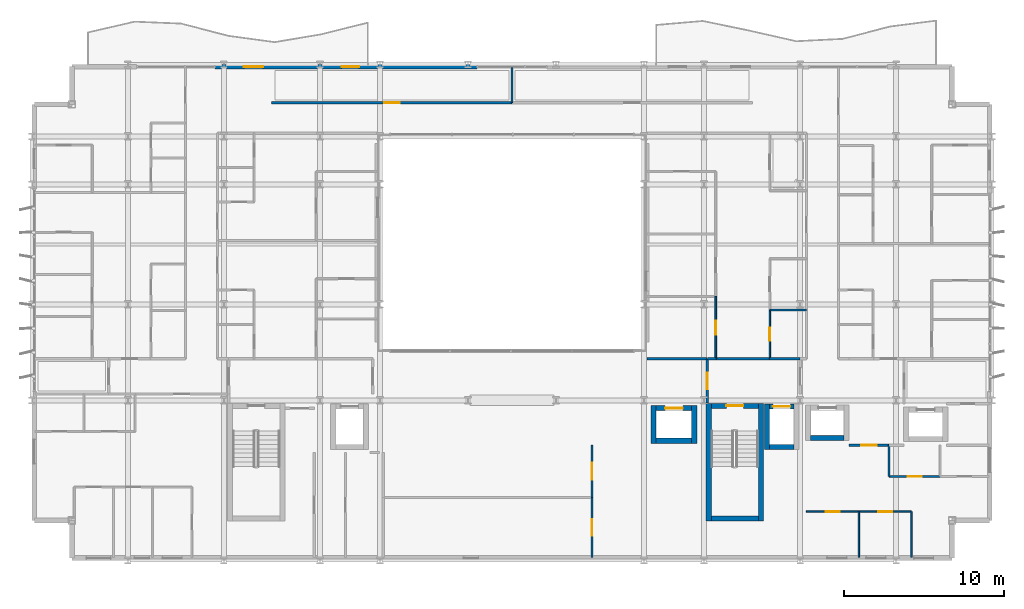
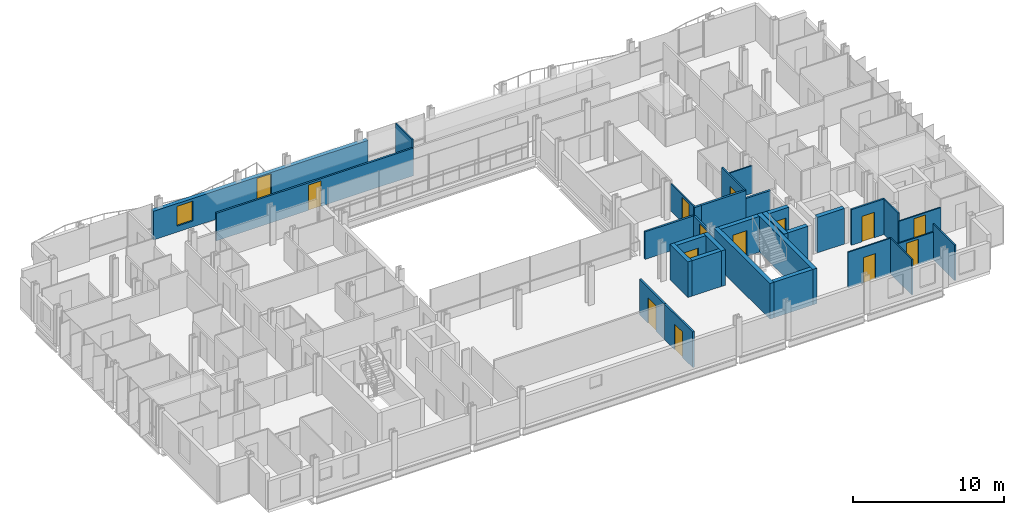
# One storey, part 30 of 38: 32 walls, 14 doors, 1 window, 15 openings.
"""IFC4 building model written with IfcOpenShell, lengths in metres."""

from ifc_helpers import new_model, si_unit, direction, frame, frame_2d, origin, place, context, subcontext, project, spatial, rectangle, extrude, material, layer, layer_set, type_object, element, fill, save


model = new_model("IFC4")

# Units and contexts
model_context = context("Model", 3, precision=1e-05, world=origin(), true_north=direction((0.0, 1.0)))
body_context = subcontext(model_context, "Body", "Model", "MODEL_VIEW")
ifc_project = project(units=[si_unit("LENGTHUNIT", "METRE"), si_unit("AREAUNIT", "SQUARE_METRE"), si_unit("VOLUMEUNIT", "CUBIC_METRE"), si_unit("PLANEANGLEUNIT", "RADIAN"), si_unit("MASSUNIT", "GRAM", prefix="KILO")], contexts=[model_context])

# Site, building, storey
site_placement = place(None, origin())
site = spatial("IfcSite", under=ifc_project, at=site_placement, CompositionType="ELEMENT")
building_placement = place(site_placement, origin())
building = spatial("IfcBuilding", under=site, at=building_placement, Name="Brevholm Reach", CompositionType="ELEMENT")
storey_placement = place(building_placement, frame((0.0, 0.0, 46.60009765625)))
storey = spatial("IfcBuildingStorey", under=building, at=storey_placement, Name="L12", CompositionType="ELEMENT", Elevation=46.60009765625)

# Walls
ifc_material_1 = material(Name="Concrete C60/75", Category="concrete")
ifc_layer_1 = layer(ifc_material_1, 0.320068359375)
ifc_layer_set_1 = layer_set([ifc_layer_1], Name="Concrete C60/75")
wall_type_1 = type_object("IfcWallType", Name="WAL-COR-320", PredefinedType="SHEAR", material=ifc_layer_set_1)
for number, where, z_axis, x_axis, name in (
    (1, (42.2900390625, 2.4599609375, 0.0), (0.0, 0.0, 1.0), (0.0, 1.0, 0.0), "L12 Escape Stair ST-2 Core Wall W"),
    (2, (45.56005859375, 2.4599609375, 0.0), (0.0, 0.0, 1.0), (0.0, 1.0, 0.0), "L12 Escape Stair ST-2 Core Wall E"),
):
    element("IfcWall", number, at=place(storey_placement, frame(where, z_axis=z_axis, x_axis=x_axis)), inside=storey, type_object=wall_type_1, Name=name, PredefinedType="SHEAR", context=body_context, shape_type="SweptSolid", body=[
        extrude(rectangle(XDim=7.360107421875, YDim=0.320068359375, at=frame_2d((3.68017578125, 0.0))), origin(), (0.0, 0.0, 1.0), 2.869873046875),
    ])
wall_1_placement = place(storey_placement, frame((42.449951171875, 2.6201171875, 0.0), z_axis=(0.0, 0.0, 1.0), x_axis=(1.0, 0.0, 0.0)))
element("IfcWall", 3, at=wall_1_placement, inside=storey, type_object=wall_type_1, Name="L12 Escape Stair ST-2 Core Wall S", PredefinedType="SHEAR", context=body_context, shape_type="SweptSolid", body=[
    extrude(rectangle(XDim=2.949951171875, YDim=0.320068359375, at=frame_2d((1.47509765625, 0.0))), origin(), (0.0, 0.0, 1.0), 2.869873046875),
])

# Wall, opening, door
wall_2_placement = place(storey_placement, frame((45.39990234375, 9.659912109375, 0.0), z_axis=(0.0, 0.0, 1.0), x_axis=(-1.0, 0.0, 0.0)))
wall_2 = element("IfcWall", 4, at=wall_2_placement, inside=storey, type_object=wall_type_1, Name="L12 Escape Stair ST-2 Core Wall N", PredefinedType="SHEAR", context=body_context, shape_type="SweptSolid", body=[
    extrude(rectangle(XDim=2.949951171875, YDim=0.320068359375, at=frame_2d((1.47509765625, 0.0))), origin(), (0.0, 0.0, 1.0), 2.869873046875),
])
opening_1_placement = place(wall_2_placement, frame((0.949951171875, 0.0, 0.0)))
opening_1 = element("IfcOpeningElement", 5, at=opening_1_placement, cuts=wall_2, Name="Opening SD-ST-2", PredefinedType="OPENING", context=body_context, shape_type="SweptSolid", body=[
    extrude(rectangle(XDim=1.050048828125, YDim=2.06005859375, at=frame_2d((0.52490234375, 1.030029296875))), frame((0.0, 0.169921875, 0.0), z_axis=(0.0, -1.0, 0.0), x_axis=(1.0, 0.0, 0.0)), (0.0, 0.0, 1.0), 0.340087890625),
])
ifc_material_2 = material(Name="Hardwood-Lipped Steel-Core Fire and Smoke Door", Category="steel")
door_type_1 = type_object("IfcDoorType", Name="DOR-INT-FD60S", OperationType="NOTDEFINED", PredefinedType="DOOR", material=ifc_material_2)
door_1_placement = place(opening_1_placement, origin())
door_1 = element("IfcDoor", 6, at=door_1_placement, inside=storey, type_object=door_type_1, Name="L12 Protected Stair ST-2 Lobby Door", OperationType="SINGLE_SWING_LEFT", OverallHeight=2.06005859375, OverallWidth=1.050048828125, PredefinedType="DOOR", context=body_context, shape_type="SweptSolid", body=[
    extrude(rectangle(XDim=1.050048828125, YDim=2.06005859375, at=frame_2d((0.52490234375, 1.030029296875))), frame((0.0, 0.02490234375, 0.0), z_axis=(0.0, -1.0, 0.0), x_axis=(1.0, 0.0, 0.0)), (0.0, 0.0, 1.0), 0.050048828125),
])
fill(opening_1, door_1)

# Walls
wall_3_placement = place(storey_placement, frame((45.929931640625, 6.919921875, 0.0), z_axis=(0.0, 0.0, 1.0), x_axis=(0.0, 1.0, 0.0)))
element("IfcWall", 7, at=wall_3_placement, inside=storey, type_object=wall_type_1, Name="L12 Lift FFL-2 Shaft Wall W", PredefinedType="SHEAR", context=body_context, shape_type="SweptSolid", body=[
    extrude(rectangle(XDim=2.860107421875, YDim=0.320068359375, at=frame_2d((1.43017578125, 0.0))), origin(), (0.0, 0.0, 1.0), 2.869873046875),
])
wall_4_placement = place(storey_placement, frame((46.090087890625, 7.080078125, 0.0), z_axis=(0.0, 0.0, 1.0), x_axis=(1.0, 0.0, 0.0)))
element("IfcWall", 8, at=wall_4_placement, inside=storey, type_object=wall_type_1, Name="L12 Lift FFL-2 Shaft Wall S", PredefinedType="SHEAR", context=body_context, shape_type="SweptSolid", body=[
    extrude(rectangle(XDim=1.52001953125, YDim=0.320068359375, at=frame_2d((0.760009765625, 0.0))), origin(), (0.0, 0.0, 1.0), 2.869873046875),
])

# Wall, opening, door
wall_5_placement = place(storey_placement, frame((46.090087890625, 9.6201171875, 0.0), z_axis=(0.0, 0.0, 1.0), x_axis=(1.0, 0.0, 0.0)))
wall_5 = element("IfcWall", 9, at=wall_5_placement, inside=storey, type_object=wall_type_1, Name="L12 Lift FFL-2 Shaft Wall N", PredefinedType="SHEAR", context=body_context, shape_type="SweptSolid", body=[
    extrude(rectangle(XDim=1.52001953125, YDim=0.320068359375, at=frame_2d((0.760009765625, 0.0))), origin(), (0.0, 0.0, 1.0), 2.869873046875),
])
opening_2_placement = place(wall_5_placement, frame((0.2099609375, 0.0, 0.0)))
opening_2 = element("IfcOpeningElement", 10, at=opening_2_placement, cuts=wall_5, Name="Opening LD-FFL-2", PredefinedType="OPENING", context=body_context, shape_type="SweptSolid", body=[
    extrude(rectangle(XDim=1.10009765625, YDim=2.06005859375, at=frame_2d((0.550048828125, 1.030029296875))), frame((0.0, 0.169921875, 0.0), z_axis=(0.0, -1.0, 0.0), x_axis=(1.0, 0.0, 0.0)), (0.0, 0.0, 1.0), 0.340087890625),
])
ifc_material_3 = material(Name="Brushed Stainless Steel Fire-Rated Sliding Lift Door", Category="steel")
door_type_2 = type_object("IfcDoorType", Name="DOR-LFT-1100", OperationType="NOTDEFINED", PredefinedType="DOOR", material=ifc_material_3)
door_2_placement = place(opening_2_placement, origin())
door_2 = element("IfcDoor", 11, at=door_2_placement, inside=storey, type_object=door_type_2, Name="L12 Lift FFL-2 Sliding Landing Door", OperationType="SLIDING_TO_LEFT", OverallHeight=2.06005859375, OverallWidth=1.10009765625, PredefinedType="DOOR", context=body_context, shape_type="SweptSolid", body=[
    extrude(rectangle(XDim=1.10009765625, YDim=2.06005859375, at=frame_2d((0.550048828125, 1.030029296875))), frame((0.0, 0.02490234375, 0.0), z_axis=(0.0, -1.0, 0.0), x_axis=(1.0, 0.0, 0.0)), (0.0, 0.0, 1.0), 0.050048828125),
])
fill(opening_2, door_2)

# Walls
wall_6_placement = place(storey_placement, frame((48.6650390625, 7.655029296875, 0.0), z_axis=(0.0, 0.0, 1.0), x_axis=(1.0, 0.0, 0.0)))
element("IfcWall", 12, at=wall_6_placement, inside=storey, type_object=wall_type_1, Name="L12 Lift PL-L1 Shaft Wall S", PredefinedType="SHEAR", context=body_context, shape_type="SweptSolid", body=[
    extrude(rectangle(XDim=2.070068359375, YDim=0.320068359375, at=frame_2d((1.03515625, 0.0))), origin(), (0.0, 0.0, 1.0), 2.869873046875),
])
for number, where, z_axis, x_axis, name in (
    (13, (38.85009765625, 7.320068359375, 0.0), (0.0, 0.0, 1.0), (0.0, 1.0, 0.0), "L12 Lift PL-S1 Shaft Wall W"),
    (14, (41.389892578125, 7.320068359375, 0.0), (0.0, 0.0, 1.0), (0.0, 1.0, 0.0), "L12 Lift PL-S1 Shaft Wall E"),
):
    element("IfcWall", number, at=place(storey_placement, frame(where, z_axis=z_axis, x_axis=x_axis)), inside=storey, type_object=wall_type_1, Name=name, PredefinedType="SHEAR", context=body_context, shape_type="SweptSolid", body=[
        extrude(rectangle(XDim=2.35986328125, YDim=0.320068359375, at=frame_2d((1.179931640625, 0.0))), origin(), (0.0, 0.0, 1.0), 2.869873046875),
    ])
wall_7_placement = place(storey_placement, frame((39.010009765625, 7.47998046875, 0.0), z_axis=(0.0, 0.0, 1.0), x_axis=(1.0, 0.0, 0.0)))
element("IfcWall", 15, at=wall_7_placement, inside=storey, type_object=wall_type_1, Name="L12 Lift PL-S1 Shaft Wall S", PredefinedType="SHEAR", context=body_context, shape_type="SweptSolid", body=[
    extrude(rectangle(XDim=2.219970703125, YDim=0.320068359375, at=frame_2d((1.10986328125, 0.0))), origin(), (0.0, 0.0, 1.0), 2.869873046875),
])

# Wall, opening, door
wall_8_placement = place(storey_placement, frame((39.010009765625, 9.52001953125, 0.0), z_axis=(0.0, 0.0, 1.0), x_axis=(1.0, 0.0, 0.0)))
wall_8 = element("IfcWall", 16, at=wall_8_placement, inside=storey, type_object=wall_type_1, Name="L12 Lift PL-S1 Shaft Wall N", PredefinedType="SHEAR", context=body_context, shape_type="SweptSolid", body=[
    extrude(rectangle(XDim=2.219970703125, YDim=0.320068359375, at=frame_2d((1.10986328125, 0.0))), origin(), (0.0, 0.0, 1.0), 2.869873046875),
])
opening_3_placement = place(wall_8_placement, frame((0.56005859375, 0.0, 0.0)))
opening_3 = element("IfcOpeningElement", 17, at=opening_3_placement, cuts=wall_8, Name="Opening LD-PL-S1", PredefinedType="OPENING", context=body_context, shape_type="SweptSolid", body=[
    extrude(rectangle(XDim=1.10009765625, YDim=2.06005859375, at=frame_2d((0.550048828125, 1.030029296875))), frame((0.0, 0.169921875, 0.0), z_axis=(0.0, -1.0, 0.0), x_axis=(1.0, 0.0, 0.0)), (0.0, 0.0, 1.0), 0.340087890625),
])
door_3_placement = place(opening_3_placement, origin())
door_3 = element("IfcDoor", 18, at=door_3_placement, inside=storey, type_object=door_type_2, Name="L12 Lift PL-S1 Sliding Landing Door", OperationType="SLIDING_TO_RIGHT", OverallHeight=2.06005859375, OverallWidth=1.10009765625, PredefinedType="DOOR", context=body_context, shape_type="SweptSolid", body=[
    extrude(rectangle(XDim=1.10009765625, YDim=2.06005859375, at=frame_2d((0.550048828125, 1.030029296875))), frame((0.0, 0.02490234375, 0.0), z_axis=(0.0, -1.0, 0.0), x_axis=(1.0, 0.0, 0.0)), (0.0, 0.0, 1.0), 0.050048828125),
])
fill(opening_3, door_3)

# Wall, openings, door, window
ifc_material_4 = material(Name="Concrete C40/50", Category="concrete")
ifc_layer_2 = layer(ifc_material_4, 0.300048828125)
ifc_layer_set_2 = layer_set([ifc_layer_2], Name="Concrete C40/50")
wall_type_2 = type_object("IfcWallType", Name="WAL-EXT-300", PredefinedType="STANDARD", material=ifc_layer_set_2)
wall_9_placement = place(storey_placement, frame((11.449951171875, 30.85009765625, 0.0), z_axis=(0.0, 0.0, 1.0), x_axis=(1.0, 0.0, 0.0)))
wall_9 = element("IfcWall", 19, at=wall_9_placement, inside=storey, type_object=wall_type_2, Name="L12 Facade Wall WAL-L12-NP-WL", PredefinedType="STANDARD", context=body_context, shape_type="SweptSolid", body=[
    extrude(rectangle(XDim=16.35009765625, YDim=0.300048828125, at=frame_2d((8.175048828125, 0.0))), origin(), (0.0, 0.0, 1.0), 2.305419921875),
])
opening_4_placement = place(wall_9_placement, frame((7.89794921875, 0.0, 0.0)))
opening_4 = element("IfcOpeningElement", 20, at=opening_4_placement, cuts=wall_9, Name="Opening BD-01", PredefinedType="OPENING", context=body_context, shape_type="SweptSolid", body=[
    extrude(rectangle(XDim=1.10009765625, YDim=2.199951171875, at=frame_2d((0.550048828125, 1.10009765625))), frame((0.0, 0.159912109375, 0.0), z_axis=(0.0, -1.0, 0.0), x_axis=(1.0, 0.0, 0.0)), (0.0, 0.0, 1.0), 0.320068359375),
])
opening_5_placement = place(wall_9_placement, frame((1.800048828125, 0.0, 0.486083984375)))
opening_5 = element("IfcOpeningElement", 21, at=opening_5_placement, cuts=wall_9, Name="Opening WN-08", PredefinedType="OPENING", context=body_context, shape_type="SweptSolid", body=[
    extrude(rectangle(XDim=1.199951171875, YDim=1.60009765625, at=frame_2d((0.60009765625, 0.800048828125))), frame((0.0, 0.159912109375, 0.0), z_axis=(0.0, -1.0, 0.0), x_axis=(1.0, 0.0, 0.0)), (0.0, 0.0, 1.0), 0.320068359375),
])
ifc_material_5 = material(Name="Dark Anodised Aluminium and Triple-Glazed Glass", Category="aluminium")
door_type_3 = type_object("IfcDoorType", Name="DOR-BALC-1100", OperationType="NOTDEFINED", PredefinedType="DOOR", material=ifc_material_5)
door_4_placement = place(opening_4_placement, origin())
door_4 = element("IfcDoor", 22, at=door_4_placement, inside=storey, type_object=door_type_3, Name="L12 Exterior Door DOR-L12-BL-NW", OperationType="SINGLE_SWING_LEFT", OverallHeight=2.199951171875, OverallWidth=1.10009765625, PredefinedType="DOOR", context=body_context, shape_type="SweptSolid", body=[
    extrude(rectangle(XDim=1.10009765625, YDim=2.199951171875, at=frame_2d((0.550048828125, 1.10009765625))), frame((0.0, 0.02490234375, 0.0), z_axis=(0.0, -1.0, 0.0), x_axis=(1.0, 0.0, 0.0)), (0.0, 0.0, 1.0), 0.050048828125),
])
fill(opening_4, door_4)
ifc_material_6 = material(Name="Dark Anodised Aluminium and Solar-Control IGU Glass", Category="aluminium")
window_type = type_object("IfcWindowType", Name="WIN-RES-1200", PartitioningType="SINGLE_PANEL", PredefinedType="WINDOW", material=ifc_material_6)
window_placement = place(opening_5_placement, origin())
window = element("IfcWindow", 23, at=window_placement, inside=storey, type_object=window_type, Name="L12 Window WIN-L12-NP-WL1", OverallHeight=1.60009765625, OverallWidth=1.199951171875, PartitioningType="SINGLE_PANEL", PredefinedType="WINDOW", context=body_context, shape_type="SweptSolid", body=[
    extrude(rectangle(XDim=1.199951171875, YDim=1.60009765625, at=frame_2d((0.60009765625, 0.800048828125))), frame((0.0, 0.030029296875, 0.0), z_axis=(0.0, -1.0, 0.0), x_axis=(1.0, 0.0, 0.0)), (0.0, 0.0, 1.0), 0.06005859375),
])
fill(opening_5, window)

# Wall, opening, door
ifc_material_7 = material(Name="Moisture-Resistant Acoustic Gypsum Stud Partition 100 mm", Category="gypsum")
ifc_layer_3 = layer(ifc_material_7, 0.10009765625)
ifc_layer_set_3 = layer_set([ifc_layer_3], Name="Moisture-Resistant Acoustic Gypsum Stud Partition 100 mm")
wall_type_3 = type_object("IfcWallType", Name="WAL-PRT-100", PredefinedType="PARTITIONING", material=ifc_layer_set_3)
wall_10_placement = place(storey_placement, frame((53.55810546875, 5.25, 0.0), z_axis=(0.0, 0.0, 1.0), x_axis=(1.0, 0.0, 0.0)))
wall_10 = element("IfcWall", 24, at=wall_10_placement, inside=storey, type_object=wall_type_3, Name="L12 Internal Partition 083", PredefinedType="PARTITIONING", context=body_context, shape_type="SweptSolid", body=[
    extrude(rectangle(XDim=3.18798828125, YDim=0.10009765625, at=frame_2d((1.593994140625, 0.0))), origin(), (0.0, 0.0, 1.0), 2.224609375),
])
opening_6_placement = place(wall_10_placement, frame((1.154052734375, 0.0, 0.0)))
opening_6 = element("IfcOpeningElement", 25, at=opening_6_placement, cuts=wall_10, Name="Opening ID-01", PredefinedType="OPENING", context=body_context, shape_type="SweptSolid", body=[
    extrude(rectangle(XDim=0.8798828125, YDim=2.0400390625, at=frame_2d((0.43994140625, 1.02001953125))), frame((0.0, 0.06005859375, 0.0), z_axis=(0.0, -1.0, 0.0), x_axis=(1.0, 0.0, 0.0)), (0.0, 0.0, 1.0), 0.1201171875),
])
ifc_material_8 = material(Name="Lacquered Ash Solid-Core Acoustic Internal Door", Category="timber")
door_type_4 = type_object("IfcDoorType", Name="DOR-INT-880", OperationType="NOTDEFINED", PredefinedType="DOOR", material=ifc_material_8)
door_5_placement = place(opening_6_placement, origin())
door_5 = element("IfcDoor", 26, at=door_5_placement, inside=storey, type_object=door_type_4, Name="L12 Internal Door 028", OperationType="SINGLE_SWING_RIGHT", OverallHeight=2.0400390625, OverallWidth=0.8798828125, PredefinedType="DOOR", context=body_context, shape_type="SweptSolid", body=[
    extrude(rectangle(XDim=0.8798828125, YDim=2.0400390625, at=frame_2d((0.43994140625, 1.02001953125))), frame((0.0, 0.02490234375, 0.0), z_axis=(0.0, -1.0, 0.0), x_axis=(1.0, 0.0, 0.0)), (0.0, 0.0, 1.0), 0.050048828125),
])
fill(opening_6, door_5)

# Walls
wall_11_placement = place(storey_placement, frame((53.55810546875, 5.25, 0.0), z_axis=(0.0, 0.0, 1.0), x_axis=(0.0, 1.0, 0.0)))
element("IfcWall", 27, at=wall_11_placement, inside=storey, type_object=wall_type_3, Name="L12 Internal Partition 084", PredefinedType="PARTITIONING", context=body_context, shape_type="SweptSolid", body=[
    extrude(rectangle(XDim=1.946044921875, YDim=0.10009765625, at=frame_2d((0.97314453125, 0.0))), origin(), (0.0, 0.0, 1.0), 2.869873046875),
])
wall_12_placement = place(storey_placement, frame((51.675048828125, 0.199951171875, 0.0), z_axis=(0.0, 0.0, 1.0), x_axis=(0.0, 1.0, 0.0)))
element("IfcWall", 28, at=wall_12_placement, inside=storey, type_object=wall_type_3, Name="L12 Internal Partition 085", PredefinedType="PARTITIONING", context=body_context, shape_type="SweptSolid", body=[
    extrude(rectangle(XDim=2.85009765625, YDim=0.10009765625, at=frame_2d((1.425048828125, 0.0))), origin(), (0.0, 0.0, 1.0), 2.869873046875),
])

# Wall, opening, door
wall_13_placement = place(storey_placement, frame((48.39990234375, 3.050048828125, 0.0), z_axis=(0.0, 0.0, 1.0), x_axis=(1.0, 0.0, 0.0)))
wall_13 = element("IfcWall", 29, at=wall_13_placement, inside=storey, type_object=wall_type_3, Name="L12 Internal Partition 086", PredefinedType="PARTITIONING", context=body_context, shape_type="SweptSolid", body=[
    extrude(rectangle(XDim=3.275146484375, YDim=0.10009765625, at=frame_2d((1.6376953125, 0.0))), origin(), (0.0, 0.0, 1.0), 2.869873046875),
])
opening_7_placement = place(wall_13_placement, frame((1.197509765625, 0.0, 0.0)))
opening_7 = element("IfcOpeningElement", 30, at=opening_7_placement, cuts=wall_13, Name="Opening ID-01", PredefinedType="OPENING", context=body_context, shape_type="SweptSolid", body=[
    extrude(rectangle(XDim=0.8798828125, YDim=2.0400390625, at=frame_2d((0.43994140625, 1.02001953125))), frame((0.0, 0.06005859375, 0.0), z_axis=(0.0, -1.0, 0.0), x_axis=(1.0, 0.0, 0.0)), (0.0, 0.0, 1.0), 0.1201171875),
])
door_6_placement = place(opening_7_placement, origin())
door_6 = element("IfcDoor", 31, at=door_6_placement, inside=storey, type_object=door_type_4, Name="L12 Internal Door 029", OperationType="SINGLE_SWING_LEFT", OverallHeight=2.0400390625, OverallWidth=0.8798828125, PredefinedType="DOOR", context=body_context, shape_type="SweptSolid", body=[
    extrude(rectangle(XDim=0.8798828125, YDim=2.0400390625, at=frame_2d((0.43994140625, 1.02001953125))), frame((0.0, 0.02490234375, 0.0), z_axis=(0.0, -1.0, 0.0), x_axis=(1.0, 0.0, 0.0)), (0.0, 0.0, 1.0), 0.050048828125),
])
fill(opening_7, door_6)

# Wall
wall_14_placement = place(storey_placement, frame((54.949951171875, 0.199951171875, 0.0), z_axis=(0.0, 0.0, 1.0), x_axis=(0.0, 1.0, 0.0)))
element("IfcWall", 32, at=wall_14_placement, inside=storey, type_object=wall_type_3, Name="L12 Internal Partition 087", PredefinedType="PARTITIONING", context=body_context, shape_type="SweptSolid", body=[
    extrude(rectangle(XDim=2.85009765625, YDim=0.10009765625, at=frame_2d((1.425048828125, 0.0))), origin(), (0.0, 0.0, 1.0), 2.869873046875),
])

# Wall, opening, door
wall_15_placement = place(storey_placement, frame((51.678955078125, 3.050048828125, 0.0), z_axis=(0.0, 0.0, 1.0), x_axis=(1.0, 0.0, 0.0)))
wall_15 = element("IfcWall", 33, at=wall_15_placement, inside=storey, type_object=wall_type_3, Name="L12 Internal Partition 088", PredefinedType="PARTITIONING", context=body_context, shape_type="SweptSolid", body=[
    extrude(rectangle(XDim=3.27099609375, YDim=0.10009765625, at=frame_2d((1.635498046875, 0.0))), origin(), (0.0, 0.0, 1.0), 2.224609375),
])
opening_8_placement = place(wall_15_placement, frame((1.195556640625, 0.0, 0.0)))
opening_8 = element("IfcOpeningElement", 34, at=opening_8_placement, cuts=wall_15, Name="Opening ID-01", PredefinedType="OPENING", context=body_context, shape_type="SweptSolid", body=[
    extrude(rectangle(XDim=0.8798828125, YDim=2.0400390625, at=frame_2d((0.43994140625, 1.02001953125))), frame((0.0, 0.06005859375, 0.0), z_axis=(0.0, -1.0, 0.0), x_axis=(1.0, 0.0, 0.0)), (0.0, 0.0, 1.0), 0.1201171875),
])
door_7_placement = place(opening_8_placement, origin())
door_7 = element("IfcDoor", 35, at=door_7_placement, inside=storey, type_object=door_type_4, Name="L12 Internal Door 030", OperationType="SINGLE_SWING_RIGHT", OverallHeight=2.0400390625, OverallWidth=0.8798828125, PredefinedType="DOOR", context=body_context, shape_type="SweptSolid", body=[
    extrude(rectangle(XDim=0.8798828125, YDim=2.0400390625, at=frame_2d((0.43994140625, 1.02001953125))), frame((0.0, 0.02490234375, 0.0), z_axis=(0.0, -1.0, 0.0), x_axis=(1.0, 0.0, 0.0)), (0.0, 0.0, 1.0), 0.050048828125),
])
fill(opening_8, door_7)

# Wall
wall_16_placement = place(storey_placement, frame((46.112060546875, 15.64990234375, 0.0), z_axis=(0.0, 0.0, 1.0), x_axis=(1.0, 0.0, 0.0)))
element("IfcWall", 36, at=wall_16_placement, inside=storey, type_object=wall_type_3, Name="L12 Internal Partition 124", PredefinedType="PARTITIONING", context=body_context, shape_type="SweptSolid", body=[
    extrude(rectangle(XDim=2.283935546875, YDim=0.10009765625, at=frame_2d((1.14208984375, 0.0))), origin(), (0.0, 0.0, 1.0), 2.224609375),
])

# Wall, opening, door
wall_17_placement = place(storey_placement, frame((46.112060546875, 12.60400390625, 0.0), z_axis=(0.0, 0.0, 1.0), x_axis=(0.0, 1.0, 0.0)))
wall_17 = element("IfcWall", 37, at=wall_17_placement, inside=storey, type_object=wall_type_3, Name="L12 Internal Partition 125", PredefinedType="PARTITIONING", context=body_context, shape_type="SweptSolid", body=[
    extrude(rectangle(XDim=3.0458984375, YDim=0.10009765625, at=frame_2d((1.52294921875, 0.0))), origin(), (0.0, 0.0, 1.0), 2.869873046875),
])
opening_9_placement = place(wall_17_placement, frame((1.113037109375, 0.0, 0.0)))
opening_9 = element("IfcOpeningElement", 38, at=opening_9_placement, cuts=wall_17, Name="Opening ID-03", PredefinedType="OPENING", context=body_context, shape_type="SweptSolid", body=[
    extrude(rectangle(XDim=0.820068359375, YDim=2.02001953125, at=frame_2d((0.41015625, 1.010009765625))), frame((0.0, 0.06005859375, 0.0), z_axis=(0.0, -1.0, 0.0), x_axis=(1.0, 0.0, 0.0)), (0.0, 0.0, 1.0), 0.1201171875),
])
ifc_material_9 = material(Name="Moisture-Resistant Painted Timber Internal Bathroom Door", Category="wood")
door_type_5 = type_object("IfcDoorType", Name="DOR-BATH-820", OperationType="NOTDEFINED", PredefinedType="DOOR", material=ifc_material_9)
door_8_placement = place(opening_9_placement, origin())
door_8 = element("IfcDoor", 39, at=door_8_placement, inside=storey, type_object=door_type_5, Name="L12 Internal Door 046", OperationType="SINGLE_SWING_RIGHT", OverallHeight=2.02001953125, OverallWidth=0.820068359375, PredefinedType="DOOR", context=body_context, shape_type="SweptSolid", body=[
    extrude(rectangle(XDim=0.820068359375, YDim=2.02001953125, at=frame_2d((0.41015625, 1.010009765625))), frame((0.0, 0.02490234375, 0.0), z_axis=(0.0, -1.0, 0.0), x_axis=(1.0, 0.0, 0.0)), (0.0, 0.0, 1.0), 0.050048828125),
])
fill(opening_9, door_8)

wall_18_placement = place(storey_placement, frame((42.72802734375, 12.60400390625, 0.0), z_axis=(0.0, 0.0, 1.0), x_axis=(0.0, 1.0, 0.0)))
wall_18 = element("IfcWall", 40, at=wall_18_placement, inside=storey, type_object=wall_type_3, Name="L12 Internal Partition 131", PredefinedType="PARTITIONING", context=body_context, shape_type="SweptSolid", body=[
    extrude(rectangle(XDim=3.89599609375, YDim=0.10009765625, at=frame_2d((1.947998046875, 0.0))), origin(), (0.0, 0.0, 1.0), 2.224609375),
])
opening_10_placement = place(wall_18_placement, frame((1.508056640625, 0.0, 0.0)))
opening_10 = element("IfcOpeningElement", 41, at=opening_10_placement, cuts=wall_18, Name="Opening ID-01", PredefinedType="OPENING", context=body_context, shape_type="SweptSolid", body=[
    extrude(rectangle(XDim=0.8798828125, YDim=2.0400390625, at=frame_2d((0.43994140625, 1.02001953125))), frame((0.0, 0.06005859375, 0.0), z_axis=(0.0, -1.0, 0.0), x_axis=(1.0, 0.0, 0.0)), (0.0, 0.0, 1.0), 0.1201171875),
])
door_9_placement = place(opening_10_placement, origin())
door_9 = element("IfcDoor", 42, at=door_9_placement, inside=storey, type_object=door_type_4, Name="L12 Internal Door 049", OperationType="SINGLE_SWING_LEFT", OverallHeight=2.0400390625, OverallWidth=0.8798828125, PredefinedType="DOOR", context=body_context, shape_type="SweptSolid", body=[
    extrude(rectangle(XDim=0.8798828125, YDim=2.0400390625, at=frame_2d((0.43994140625, 1.02001953125))), frame((0.0, 0.02490234375, 0.0), z_axis=(0.0, -1.0, 0.0), x_axis=(1.0, 0.0, 0.0)), (0.0, 0.0, 1.0), 0.050048828125),
])
fill(opening_10, door_9)

# Wall
wall_19_placement = place(storey_placement, frame((30.0, 28.60400390625, 0.0), z_axis=(0.0, 0.0, 1.0), x_axis=(0.0, 1.0, 0.0)))
element("IfcWall", 43, at=wall_19_placement, inside=storey, type_object=wall_type_3, Name="L12 Internal Partition 155", PredefinedType="PARTITIONING", context=body_context, shape_type="SweptSolid", body=[
    extrude(rectangle(XDim=2.196044921875, YDim=0.10009765625, at=frame_2d((1.09814453125, 0.0))), origin(), (0.0, 0.0, 1.0), 2.869873046875),
])

# Wall, opening, door
ifc_material_10 = material(Name="Twin-Stud Acoustic Fire-Rated Gypsum Partition 140 mm", Category="gypsum")
ifc_layer_4 = layer(ifc_material_10, 0.139892578125)
ifc_layer_set_4 = layer_set([ifc_layer_4], Name="Twin-Stud Acoustic Fire-Rated Gypsum Partition 140 mm")
wall_type_4 = type_object("IfcWallType", Name="WAL-PRT-140", PredefinedType="PARTITIONING", material=ifc_layer_set_4)
wall_20_placement = place(storey_placement, frame((35.0, 0.179931640625, 0.0), z_axis=(0.0, 0.0, 1.0), x_axis=(0.0, 1.0, 0.0)))
wall_20 = element("IfcWall", 44, at=wall_20_placement, inside=storey, type_object=wall_type_4, Name="L12 Internal Partition 001", PredefinedType="PARTITIONING", context=body_context, shape_type="SweptSolid", body=[
    extrude(rectangle(XDim=3.771484375, YDim=0.139892578125, at=frame_2d((1.8857421875, 0.0))), origin(), (0.0, 0.0, 1.0), 2.869873046875),
])
opening_11_placement = place(wall_20_placement, frame((1.360595703125, 0.0, 0.0)))
opening_11 = element("IfcOpeningElement", 45, at=opening_11_placement, cuts=wall_20, Name="Opening FD-01", PredefinedType="OPENING", context=body_context, shape_type="SweptSolid", body=[
    extrude(rectangle(XDim=1.050048828125, YDim=2.06005859375, at=frame_2d((0.52490234375, 1.030029296875))), frame((0.0, 0.079833984375, 0.0), z_axis=(0.0, -1.0, 0.0), x_axis=(1.0, 0.0, 0.0)), (0.0, 0.0, 1.0), 0.159912109375),
])
door_10_placement = place(opening_11_placement, origin())
door_10 = element("IfcDoor", 46, at=door_10_placement, inside=storey, type_object=door_type_1, Name="L12 Internal Door 001", OperationType="SINGLE_SWING_LEFT", OverallHeight=2.06005859375, OverallWidth=1.050048828125, PredefinedType="DOOR", context=body_context, shape_type="SweptSolid", body=[
    extrude(rectangle(XDim=1.050048828125, YDim=2.06005859375, at=frame_2d((0.52490234375, 1.030029296875))), frame((0.0, 0.02490234375, 0.0), z_axis=(0.0, -1.0, 0.0), x_axis=(1.0, 0.0, 0.0)), (0.0, 0.0, 1.0), 0.050048828125),
])
fill(opening_11, door_10)

wall_21_placement = place(storey_placement, frame((35.0, 3.9326171875, 0.0), z_axis=(0.0, 0.0, 1.0), x_axis=(0.0, 1.0, 0.0)))
wall_21 = element("IfcWall", 47, at=wall_21_placement, inside=storey, type_object=wall_type_4, Name="L12 Internal Partition 002", PredefinedType="PARTITIONING", context=body_context, shape_type="SweptSolid", body=[
    extrude(rectangle(XDim=3.278564453125, YDim=0.139892578125, at=frame_2d((1.63916015625, 0.0))), origin(), (0.0, 0.0, 1.0), 2.869873046875),
])
opening_12_placement = place(wall_21_placement, frame((1.1142578125, 0.0, 0.0)))
opening_12 = element("IfcOpeningElement", 48, at=opening_12_placement, cuts=wall_21, Name="Opening FD-01", PredefinedType="OPENING", context=body_context, shape_type="SweptSolid", body=[
    extrude(rectangle(XDim=1.050048828125, YDim=2.06005859375, at=frame_2d((0.52490234375, 1.030029296875))), frame((0.0, 0.079833984375, 0.0), z_axis=(0.0, -1.0, 0.0), x_axis=(1.0, 0.0, 0.0)), (0.0, 0.0, 1.0), 0.159912109375),
])
door_11_placement = place(opening_12_placement, origin())
door_11 = element("IfcDoor", 49, at=door_11_placement, inside=storey, type_object=door_type_1, Name="L12 Internal Door 002", OperationType="SINGLE_SWING_RIGHT", OverallHeight=2.06005859375, OverallWidth=1.050048828125, PredefinedType="DOOR", context=body_context, shape_type="SweptSolid", body=[
    extrude(rectangle(XDim=1.050048828125, YDim=2.06005859375, at=frame_2d((0.52490234375, 1.030029296875))), frame((0.0, 0.02490234375, 0.0), z_axis=(0.0, -1.0, 0.0), x_axis=(1.0, 0.0, 0.0)), (0.0, 0.0, 1.0), 0.050048828125),
])
fill(opening_12, door_11)

wall_22_placement = place(storey_placement, frame((51.050048828125, 7.199951171875, 0.0), z_axis=(0.0, 0.0, 1.0), x_axis=(1.0, 0.0, 0.0)))
wall_22 = element("IfcWall", 50, at=wall_22_placement, inside=storey, type_object=wall_type_4, Name="L12 Internal Partition 011", PredefinedType="PARTITIONING", context=body_context, shape_type="SweptSolid", body=[
    extrude(rectangle(XDim=2.51513671875, YDim=0.139892578125, at=frame_2d((1.257568359375, 0.0))), origin(), (0.0, 0.0, 1.0), 2.869873046875),
])
opening_13_placement = place(wall_22_placement, frame((0.78271484375, 0.0, 0.0)))
opening_13 = element("IfcOpeningElement", 51, at=opening_13_placement, cuts=wall_22, Name="Opening ID-30", PredefinedType="OPENING", context=body_context, shape_type="SweptSolid", body=[
    extrude(rectangle(XDim=0.949951171875, YDim=2.050048828125, at=frame_2d((0.47509765625, 1.02490234375))), frame((0.0, 0.079833984375, 0.0), z_axis=(0.0, -1.0, 0.0), x_axis=(1.0, 0.0, 0.0)), (0.0, 0.0, 1.0), 0.159912109375),
])
ifc_material_11 = material(Name="European Oak Veneered Solid-Core Fire Entrance Door", Category="timber")
door_type_6 = type_object("IfcDoorType", Name="DOR-FLT-FD30S", OperationType="NOTDEFINED", PredefinedType="DOOR", material=ifc_material_11)
door_12_placement = place(opening_13_placement, origin())
door_12 = element("IfcDoor", 52, at=door_12_placement, inside=storey, type_object=door_type_6, Name="L12 Internal Door 006", OperationType="SINGLE_SWING_RIGHT", OverallHeight=2.050048828125, OverallWidth=0.949951171875, PredefinedType="DOOR", context=body_context, shape_type="SweptSolid", body=[
    extrude(rectangle(XDim=0.949951171875, YDim=2.050048828125, at=frame_2d((0.47509765625, 1.02490234375))), frame((0.0, 0.02490234375, 0.0), z_axis=(0.0, -1.0, 0.0), x_axis=(1.0, 0.0, 0.0)), (0.0, 0.0, 1.0), 0.050048828125),
])
fill(opening_13, door_12)

# Wall
wall_23_placement = place(storey_placement, frame((38.438720703125, 12.60009765625, 0.0), z_axis=(0.0, 0.0, 1.0), x_axis=(1.0, 0.0, 0.0)))
element("IfcWall", 53, at=wall_23_placement, inside=storey, type_object=wall_type_4, Name="L12 Internal Partition 031", PredefinedType="PARTITIONING", context=body_context, shape_type="SweptSolid", body=[
    extrude(rectangle(XDim=3.75732421875, YDim=0.139892578125, at=frame_2d((1.878662109375, 0.0))), origin(), (0.0, 0.0, 1.0), 2.224609375),
])

# Wall, opening, door
wall_24_placement = place(storey_placement, frame((14.98876953125, 28.60009765625, 0.0), z_axis=(0.0, 0.0, 1.0), x_axis=(1.0, 0.0, 0.0)))
wall_24 = element("IfcWall", 54, at=wall_24_placement, inside=storey, type_object=wall_type_4, Name="L12 Internal Partition 060", PredefinedType="PARTITIONING", context=body_context, shape_type="SweptSolid", body=[
    extrude(rectangle(XDim=15.0224609375, YDim=0.139892578125, at=frame_2d((7.51123046875, 0.0))), origin(), (0.0, 0.0, 1.0), 2.224609375),
])
opening_14_placement = place(wall_24_placement, frame((7.036376953125, 0.0, 0.0)))
opening_14 = element("IfcOpeningElement", 55, at=opening_14_placement, cuts=wall_24, Name="Opening ID-30", PredefinedType="OPENING", context=body_context, shape_type="SweptSolid", body=[
    extrude(rectangle(XDim=0.949951171875, YDim=2.050048828125, at=frame_2d((0.47509765625, 1.02490234375))), frame((0.0, 0.079833984375, 0.0), z_axis=(0.0, -1.0, 0.0), x_axis=(1.0, 0.0, 0.0)), (0.0, 0.0, 1.0), 0.159912109375),
])
door_13_placement = place(opening_14_placement, origin())
door_13 = element("IfcDoor", 56, at=door_13_placement, inside=storey, type_object=door_type_6, Name="L12 Internal Door 020", OperationType="SINGLE_SWING_RIGHT", OverallHeight=2.050048828125, OverallWidth=0.949951171875, PredefinedType="DOOR", context=body_context, shape_type="SweptSolid", body=[
    extrude(rectangle(XDim=0.949951171875, YDim=2.050048828125, at=frame_2d((0.47509765625, 1.02490234375))), frame((0.0, 0.02490234375, 0.0), z_axis=(0.0, -1.0, 0.0), x_axis=(1.0, 0.0, 0.0)), (0.0, 0.0, 1.0), 0.050048828125),
])
fill(opening_14, door_13)

ifc_material_12 = material(Name="Twin-Frame Fire-Rated Gypsum Board and Mineral Wool 160 mm", Category="gypsum")
ifc_layer_5 = layer(ifc_material_12, 0.159912109375)
ifc_layer_set_5 = layer_set([ifc_layer_5], Name="Twin-Frame Fire-Rated Gypsum Board and Mineral Wool 160 mm")
wall_type_5 = type_object("IfcWallType", Name="WAL-PRT-160", PredefinedType="PARTITIONING", material=ifc_layer_set_5)
wall_25_placement = place(storey_placement, frame((42.199951171875, 9.830078125, 0.0), z_axis=(0.0, 0.0, 1.0), x_axis=(0.0, 1.0, 0.0)))
wall_25 = element("IfcWall", 57, at=wall_25_placement, inside=storey, type_object=wall_type_5, Name="L12 Internal Partition 020", PredefinedType="PARTITIONING", context=body_context, shape_type="SweptSolid", body=[
    extrude(rectangle(XDim=2.77001953125, YDim=0.159912109375, at=frame_2d((1.385009765625, 0.0))), origin(), (0.0, 0.0, 1.0), 2.224609375),
])
opening_15_placement = place(wall_25_placement, frame((0.860107421875, 0.0, 0.0)))
opening_15 = element("IfcOpeningElement", 58, at=opening_15_placement, cuts=wall_25, Name="Opening FD-01", PredefinedType="OPENING", context=body_context, shape_type="SweptSolid", body=[
    extrude(rectangle(XDim=1.050048828125, YDim=2.06005859375, at=frame_2d((0.52490234375, 1.030029296875))), frame((0.0, 0.08984375, 0.0), z_axis=(0.0, -1.0, 0.0), x_axis=(1.0, 0.0, 0.0)), (0.0, 0.0, 1.0), 0.179931640625),
])
door_14_placement = place(opening_15_placement, origin())
door_14 = element("IfcDoor", 59, at=door_14_placement, inside=storey, type_object=door_type_1, Name="L12 Internal Door 010", OperationType="SINGLE_SWING_RIGHT", OverallHeight=2.06005859375, OverallWidth=1.050048828125, PredefinedType="DOOR", context=body_context, shape_type="SweptSolid", body=[
    extrude(rectangle(XDim=1.050048828125, YDim=2.06005859375, at=frame_2d((0.52490234375, 1.030029296875))), frame((0.0, 0.02490234375, 0.0), z_axis=(0.0, -1.0, 0.0), x_axis=(1.0, 0.0, 0.0)), (0.0, 0.0, 1.0), 0.050048828125),
])
fill(opening_15, door_14)

# Walls
wall_26_placement = place(storey_placement, frame((46.1005859375, 12.60009765625, 0.0), z_axis=(0.0, 0.0, 1.0), x_axis=(1.0, 0.0, 0.0)))
element("IfcWall", 60, at=wall_26_placement, inside=storey, type_object=wall_type_5, Name="L12 Internal Partition 022", PredefinedType="PARTITIONING", context=body_context, shape_type="SweptSolid", body=[
    extrude(rectangle(XDim=1.8994140625, YDim=0.159912109375, at=frame_2d((0.94970703125, 0.0))), origin(), (0.0, 0.0, 1.0), 2.224609375),
])
wall_27_placement = place(storey_placement, frame((42.199951171875, 12.60009765625, 0.0), z_axis=(0.0, 0.0, 1.0), x_axis=(1.0, 0.0, 0.0)))
element("IfcWall", 61, at=wall_27_placement, inside=storey, type_object=wall_type_5, Name="L12 Internal Partition 023", PredefinedType="PARTITIONING", context=body_context, shape_type="SweptSolid", body=[
    extrude(rectangle(XDim=0.539306640625, YDim=0.159912109375, at=frame_2d((0.26953125, 0.0))), origin(), (0.0, 0.0, 1.0), 2.869873046875),
])
wall_28_placement = place(storey_placement, frame((42.720703125, 12.60009765625, 0.0), z_axis=(0.0, 0.0, 1.0), x_axis=(1.0, 0.0, 0.0)))
element("IfcWall", 62, at=wall_28_placement, inside=storey, type_object=wall_type_5, Name="L12 Internal Partition 024", PredefinedType="PARTITIONING", context=body_context, shape_type="SweptSolid", body=[
    extrude(rectangle(XDim=3.398681640625, YDim=0.159912109375, at=frame_2d((1.69921875, 0.0))), origin(), (0.0, 0.0, 1.0), 2.869873046875),
])

save(model, "model.ifc")
